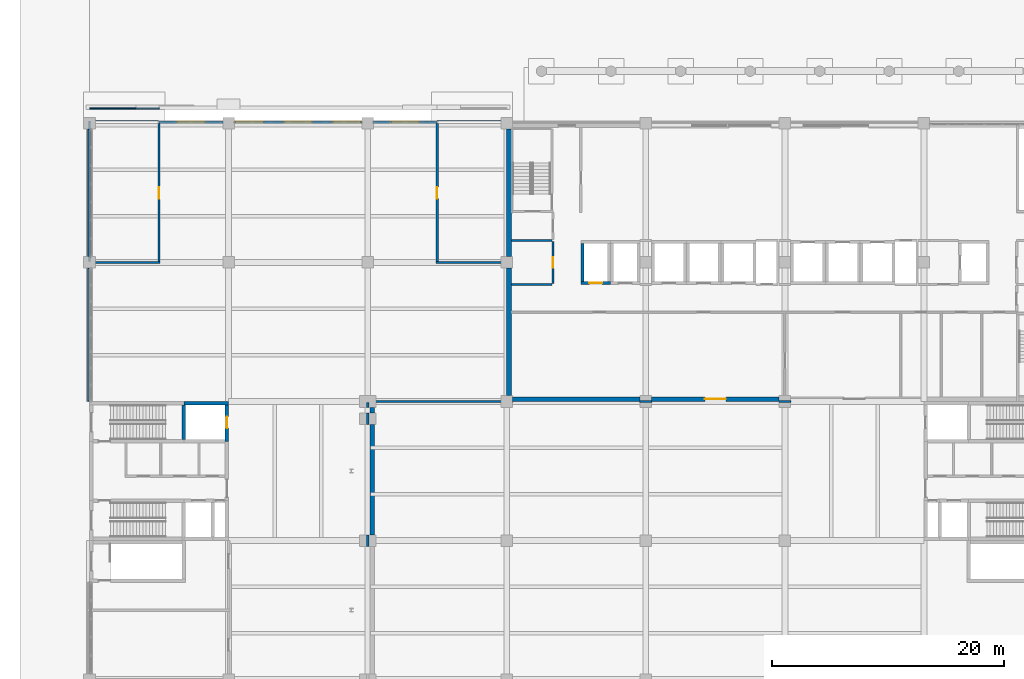
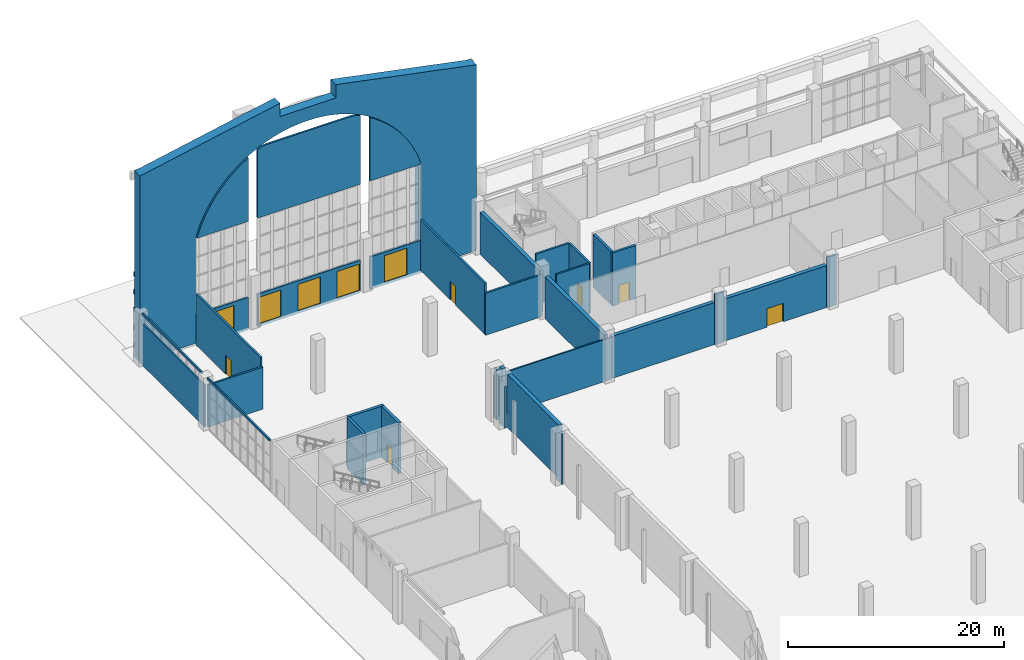
# One storey, part 45 of 59: 39 walls, 11 doors, 11 openings.
"""IFC4 building model written with IfcOpenShell, lengths in metres."""

from ifc_helpers import new_model, si_unit, direction, frame, frame_2d, origin, place, context, subcontext, project, spatial, polyline, rectangle, outline, extrude, material, layer, layer_set, type_object, element, fill, save


model = new_model("IFC4")

# Units and contexts
model_context = context("Model", 3, precision=1e-05, world=origin(), true_north=direction((0.0, 1.0)))
body_context = subcontext(model_context, "Body", "Model", "MODEL_VIEW")
ifc_project = project(units=[si_unit("LENGTHUNIT", "METRE"), si_unit("AREAUNIT", "SQUARE_METRE"), si_unit("VOLUMEUNIT", "CUBIC_METRE"), si_unit("PLANEANGLEUNIT", "RADIAN"), si_unit("MASSUNIT", "GRAM", prefix="KILO")], contexts=[model_context])

# Site, building, storey
site_placement = place(None, origin())
site = spatial("IfcSite", under=ifc_project, at=site_placement, CompositionType="ELEMENT")
building_placement = place(site_placement, origin())
building = spatial("IfcBuilding", under=site, at=building_placement, Name="Lilac Gate Convention Centre", CompositionType="ELEMENT")
storey_placement = place(building_placement, origin())
storey = spatial("IfcBuildingStorey", under=building, at=storey_placement, Name="L00", CompositionType="ELEMENT", Elevation=0.0)

# Wall, opening, door
ifc_material_1 = material(Name="Concrete C60", Category="concrete")
ifc_layer_1 = layer(ifc_material_1, 0.25)
ifc_layer_set_1 = layer_set([ifc_layer_1], Name="Concrete C60")
wall_type_1 = type_object("IfcWallType", Name="Core wall 250 C60", PredefinedType="SHEAR", material=ifc_layer_set_1)
wall_1_placement = place(storey_placement, frame((48.39990234375, 232.22509765625, 0.0), z_axis=(0.0, 0.0, 1.0), x_axis=(1.0, 0.0, 0.0)))
wall_1 = element("IfcWall", 1, at=wall_1_placement, inside=storey, type_object=wall_type_1, Name="CRW3 core wall TC L00 25", PredefinedType="SHEAR", context=body_context, shape_type="SweptSolid", body=[
    extrude(rectangle(XDim=2.550048828125, YDim=0.25, at=frame_2d((1.27490234375, 0.0))), origin(), (0.0, 0.0, 1.0), 6.0),
])
opening_1_placement = place(wall_1_placement, frame((0.72509765625, 0.0, 0.0)))
opening_1 = element("IfcOpeningElement", 2, at=opening_1_placement, cuts=wall_1, Name="Opening T00-022", PredefinedType="OPENING", context=body_context, shape_type="SweptSolid", body=[
    extrude(rectangle(XDim=1.10009765625, YDim=2.10009765625, at=frame_2d((0.550048828125, 1.050048828125))), frame((0.0, 0.135009765625, 0.0), z_axis=(0.0, -1.0, 0.0), x_axis=(1.0, 0.0, 0.0)), (0.0, 0.0, 1.0), 0.27001953125),
])
ifc_material_2 = material(Name="Stainless steel 304", Category="steel")
door_type_1 = type_object("IfcDoorType", Name="Lift landing door 1100", OperationType="SLIDING_TO_LEFT", PredefinedType="DOOR", material=ifc_material_2)
door_1_placement = place(opening_1_placement, origin())
door_1 = element("IfcDoor", 3, at=door_1_placement, inside=storey, type_object=door_type_1, Name="Lift landing door TS1 L00", OperationType="SLIDING_TO_LEFT", OverallHeight=2.10009765625, OverallWidth=1.10009765625, PredefinedType="DOOR", context=body_context, shape_type="SweptSolid", body=[
    extrude(rectangle(XDim=1.10009765625, YDim=2.10009765625, at=frame_2d((0.550048828125, 1.050048828125))), frame((0.0, 0.02490234375, 0.0), z_axis=(0.0, -1.0, 0.0), x_axis=(1.0, 0.0, 0.0)), (0.0, 0.0, 1.0), 0.050048828125),
])
fill(opening_1, door_1)

# Wall
wall_2_placement = place(storey_placement, frame((48.52490234375, 232.35009765625, 0.0), z_axis=(0.0, 0.0, 1.0), x_axis=(0.0, 1.0, 0.0)))
element("IfcWall", 4, at=wall_2_placement, inside=storey, type_object=wall_type_1, Name="CRW3 core wall TC L00 27", PredefinedType="SHEAR", context=body_context, shape_type="SweptSolid", body=[
    extrude(rectangle(XDim=3.2998046875, YDim=0.25, at=frame_2d((1.64990234375, 0.0))), origin(), (0.0, 0.0, 1.0), 6.0),
])

# Wall, opening, door
ifc_material_3 = material(Name="Aluminium framed glazing", Category="aluminium")
ifc_layer_2 = layer(ifc_material_3, 0.199951171875)
ifc_layer_set_2 = layer_set([ifc_layer_2], Name="Aluminium framed glazing")
wall_type_2 = type_object("IfcWallType", Name="Entrance screen frame 200", PredefinedType="STANDARD", material=ifc_layer_set_2)
wall_3_placement = place(storey_placement, frame((12.0, 246.10009765625, -0.300048828125), z_axis=(0.0, 0.0, 1.0), x_axis=(1.0, 0.0, 0.0)))
wall_3 = element("IfcWall", 5, at=wall_3_placement, inside=storey, type_object=wall_type_2, Name="Entrance screen door wall 1", PredefinedType="STANDARD", context=body_context, shape_type="SweptSolid", body=[
    extrude(rectangle(XDim=5.5, YDim=0.199951171875, at=frame_2d((2.75, 0.0))), origin(), (0.0, 0.0, 1.0), 3.699951171875),
])
opening_2_placement = place(wall_3_placement, frame((1.550048828125, 0.0, 0.300048828125)))
opening_2 = element("IfcOpeningElement", 6, at=opening_2_placement, cuts=wall_3, Name="Opening ED-032", PredefinedType="OPENING", context=body_context, shape_type="SweptSolid", body=[
    extrude(rectangle(XDim=2.39990234375, YDim=3.0, at=frame_2d((1.199951171875, 1.5))), frame((0.0, 0.10986328125, 0.0), z_axis=(0.0, -1.0, 0.0), x_axis=(1.0, 0.0, 0.0)), (0.0, 0.0, 1.0), 0.219970703125),
])
ifc_material_4 = material(Name="Aluminium framed glazed door", Category="aluminium")
door_type_2 = type_object("IfcDoorType", Name="Main entrance double door 2400 x 3000", OperationType="DOUBLE_DOOR_SINGLE_SWING", PredefinedType="DOOR", material=ifc_material_4)
door_2_placement = place(opening_2_placement, origin())
door_2 = element("IfcDoor", 7, at=door_2_placement, inside=storey, type_object=door_type_2, Name="Main entrance E2", OperationType="DOUBLE_DOOR_SINGLE_SWING", OverallHeight=3.0, OverallWidth=2.39990234375, PredefinedType="DOOR", context=body_context, shape_type="SweptSolid", body=[
    extrude(rectangle(XDim=2.39990234375, YDim=3.0, at=frame_2d((1.199951171875, 1.5))), frame((0.0, 0.02490234375, 0.0), z_axis=(0.0, -1.0, 0.0), x_axis=(1.0, 0.0, 0.0)), (0.0, 0.0, 1.0), 0.050048828125),
])
fill(opening_2, door_2)

# Wall
wall_4_placement = place(storey_placement, frame((12.0, 246.10009765625, 12.0), z_axis=(0.0, 0.0, 1.0), x_axis=(1.0, 0.0, 0.0)))
element("IfcWall", 8, at=wall_4_placement, inside=storey, type_object=wall_type_2, Name="Entrance screen arched head 1", PredefinedType="STANDARD", context=body_context, shape_type="SweptSolid", body=[
    extrude(outline(polyline([(0.0, 0.0), (5.5, 0.0), (5.5, 7.177001953125), (5.0, 6.856201171875), (4.5, 6.5), (4.0, 6.104736328125), (3.5, 5.665283203125), (3.0, 5.1748046875), (2.5, 4.6240234375), (2.0, 4.0), (1.5, 3.2822265625), (1.0, 2.437255859375), (0.5, 1.39892578125), (0.0, 0.0), (0.0, 0.0)])), frame((0.0, 0.10009765625, 0.0), z_axis=(0.0, -1.0, 0.0), x_axis=(1.0, 0.0, 0.0)), (0.0, 0.0, 1.0), 0.199951171875),
])

# Wall, openings, doors
wall_5_placement = place(storey_placement, frame((18.5, 246.10009765625, -0.300048828125), z_axis=(0.0, 0.0, 1.0), x_axis=(1.0, 0.0, 0.0)))
wall_5 = element("IfcWall", 9, at=wall_5_placement, inside=storey, type_object=wall_type_2, Name="Entrance screen door wall 2", PredefinedType="STANDARD", context=body_context, shape_type="SweptSolid", body=[
    extrude(rectangle(XDim=11.0, YDim=0.199951171875, at=frame_2d((5.5, 0.0))), origin(), (0.0, 0.0, 1.0), 3.699951171875),
])
opening_3_placement = place(wall_5_placement, frame((0.10009765625, 0.0, 0.300048828125)))
opening_3 = element("IfcOpeningElement", 10, at=opening_3_placement, cuts=wall_5, Name="Opening ED-033", PredefinedType="OPENING", context=body_context, shape_type="SweptSolid", body=[
    extrude(rectangle(XDim=2.39990234375, YDim=3.0, at=frame_2d((1.199951171875, 1.5))), frame((0.0, 0.10986328125, 0.0), z_axis=(0.0, -1.0, 0.0), x_axis=(1.0, 0.0, 0.0)), (0.0, 0.0, 1.0), 0.219970703125),
])
opening_4_placement = place(wall_5_placement, frame((4.300048828125, 0.0, 0.300048828125)))
opening_4 = element("IfcOpeningElement", 11, at=opening_4_placement, cuts=wall_5, Name="Opening ED-034", PredefinedType="OPENING", context=body_context, shape_type="SweptSolid", body=[
    extrude(rectangle(XDim=2.39990234375, YDim=3.0, at=frame_2d((1.199951171875, 1.5))), frame((0.0, 0.10986328125, 0.0), z_axis=(0.0, -1.0, 0.0), x_axis=(1.0, 0.0, 0.0)), (0.0, 0.0, 1.0), 0.219970703125),
])
opening_5_placement = place(wall_5_placement, frame((8.5, 0.0, 0.300048828125)))
opening_5 = element("IfcOpeningElement", 12, at=opening_5_placement, cuts=wall_5, Name="Opening ED-035", PredefinedType="OPENING", context=body_context, shape_type="SweptSolid", body=[
    extrude(rectangle(XDim=2.39990234375, YDim=3.0, at=frame_2d((1.199951171875, 1.5))), frame((0.0, 0.10986328125, 0.0), z_axis=(0.0, -1.0, 0.0), x_axis=(1.0, 0.0, 0.0)), (0.0, 0.0, 1.0), 0.219970703125),
])
door_3_placement = place(opening_3_placement, origin())
door_3 = element("IfcDoor", 13, at=door_3_placement, inside=storey, type_object=door_type_2, Name="Main entrance E3", OperationType="DOUBLE_DOOR_SINGLE_SWING", OverallHeight=3.0, OverallWidth=2.39990234375, PredefinedType="DOOR", context=body_context, shape_type="SweptSolid", body=[
    extrude(rectangle(XDim=2.39990234375, YDim=3.0, at=frame_2d((1.199951171875, 1.5))), frame((0.0, 0.02490234375, 0.0), z_axis=(0.0, -1.0, 0.0), x_axis=(1.0, 0.0, 0.0)), (0.0, 0.0, 1.0), 0.050048828125),
])
fill(opening_3, door_3)
door_4_placement = place(opening_4_placement, origin())
door_4 = element("IfcDoor", 14, at=door_4_placement, inside=storey, type_object=door_type_2, Name="Main entrance E4", OperationType="DOUBLE_DOOR_SINGLE_SWING", OverallHeight=3.0, OverallWidth=2.39990234375, PredefinedType="DOOR", context=body_context, shape_type="SweptSolid", body=[
    extrude(rectangle(XDim=2.39990234375, YDim=3.0, at=frame_2d((1.199951171875, 1.5))), frame((0.0, 0.02490234375, 0.0), z_axis=(0.0, -1.0, 0.0), x_axis=(1.0, 0.0, 0.0)), (0.0, 0.0, 1.0), 0.050048828125),
])
fill(opening_4, door_4)
door_5_placement = place(opening_5_placement, origin())
door_5 = element("IfcDoor", 15, at=door_5_placement, inside=storey, type_object=door_type_2, Name="Main entrance E6", OperationType="DOUBLE_DOOR_SINGLE_SWING", OverallHeight=3.0, OverallWidth=2.39990234375, PredefinedType="DOOR", context=body_context, shape_type="SweptSolid", body=[
    extrude(rectangle(XDim=2.39990234375, YDim=3.0, at=frame_2d((1.199951171875, 1.5))), frame((0.0, 0.02490234375, 0.0), z_axis=(0.0, -1.0, 0.0), x_axis=(1.0, 0.0, 0.0)), (0.0, 0.0, 1.0), 0.050048828125),
])
fill(opening_5, door_5)

# Wall
wall_6_placement = place(storey_placement, frame((18.5, 246.10009765625, 12.0), z_axis=(0.0, 0.0, 1.0), x_axis=(1.0, 0.0, 0.0)))
element("IfcWall", 16, at=wall_6_placement, inside=storey, type_object=wall_type_2, Name="Entrance screen arched head 2", PredefinedType="STANDARD", context=body_context, shape_type="SweptSolid", body=[
    extrude(outline(polyline([(0.0, 0.0), (11.0, 0.0), (11.0, 7.72509765625), (10.5, 7.956298828125), (10.0, 8.0), (9.5, 8.0), (9.0, 8.0), (8.5, 8.0), (8.0, 8.0), (7.5, 8.0), (7.0, 8.0), (6.5, 8.0), (6.0, 8.0), (5.5, 8.0), (5.0, 8.0), (4.5, 8.0), (4.0, 8.0), (3.5, 8.0), (3.0, 8.0), (2.5, 8.0), (2.0, 8.0), (1.5, 8.0), (1.0, 8.0), (0.5, 7.956298828125), (0.0, 7.72509765625), (0.0, 0.0)])), frame((0.0, 0.10009765625, 0.0), z_axis=(0.0, -1.0, 0.0), x_axis=(1.0, 0.0, 0.0)), (0.0, 0.0, 1.0), 0.199951171875),
])

# Wall, opening, door
wall_7_placement = place(storey_placement, frame((30.5, 246.10009765625, -0.300048828125), z_axis=(0.0, 0.0, 1.0), x_axis=(1.0, 0.0, 0.0)))
wall_7 = element("IfcWall", 17, at=wall_7_placement, inside=storey, type_object=wall_type_2, Name="Entrance screen door wall 3", PredefinedType="STANDARD", context=body_context, shape_type="SweptSolid", body=[
    extrude(rectangle(XDim=5.5, YDim=0.199951171875, at=frame_2d((2.75, 0.0))), origin(), (0.0, 0.0, 1.0), 3.699951171875),
])
opening_6_placement = place(wall_7_placement, frame((1.550048828125, 0.0, 0.300048828125)))
opening_6 = element("IfcOpeningElement", 18, at=opening_6_placement, cuts=wall_7, Name="Opening ED-036", PredefinedType="OPENING", context=body_context, shape_type="SweptSolid", body=[
    extrude(rectangle(XDim=2.39990234375, YDim=3.0, at=frame_2d((1.199951171875, 1.5))), frame((0.0, 0.10986328125, 0.0), z_axis=(0.0, -1.0, 0.0), x_axis=(1.0, 0.0, 0.0)), (0.0, 0.0, 1.0), 0.219970703125),
])
door_6_placement = place(opening_6_placement, origin())
door_6 = element("IfcDoor", 19, at=door_6_placement, inside=storey, type_object=door_type_2, Name="Main entrance E7", OperationType="DOUBLE_DOOR_SINGLE_SWING", OverallHeight=3.0, OverallWidth=2.39990234375, PredefinedType="DOOR", context=body_context, shape_type="SweptSolid", body=[
    extrude(rectangle(XDim=2.39990234375, YDim=3.0, at=frame_2d((1.199951171875, 1.5))), frame((0.0, 0.02490234375, 0.0), z_axis=(0.0, -1.0, 0.0), x_axis=(1.0, 0.0, 0.0)), (0.0, 0.0, 1.0), 0.050048828125),
])
fill(opening_6, door_6)

# Walls
wall_8_placement = place(storey_placement, frame((30.5, 246.10009765625, 12.0), z_axis=(0.0, 0.0, 1.0), x_axis=(1.0, 0.0, 0.0)))
element("IfcWall", 20, at=wall_8_placement, inside=storey, type_object=wall_type_2, Name="Entrance screen arched head 3", PredefinedType="STANDARD", context=body_context, shape_type="SweptSolid", body=[
    extrude(outline(polyline([(0.0, 0.0), (5.5, 0.0), (5.5, 0.0), (5.0, 1.39892578125), (4.5, 2.437255859375), (4.0, 3.2822265625), (3.5, 4.0), (3.0, 4.6240234375), (2.5, 5.1748046875), (2.0, 5.665283203125), (1.5, 6.104736328125), (1.0, 6.5), (0.5, 6.856201171875), (0.0, 7.177001953125), (0.0, 0.0)])), frame((0.0, 0.10009765625, 0.0), z_axis=(0.0, -1.0, 0.0), x_axis=(1.0, 0.0, 0.0)), (0.0, 0.0, 1.0), 0.199951171875),
])
ifc_material_5 = material(Name="Concrete C30", Category="concrete")
ifc_layer_3 = layer(ifc_material_5, 0.39990234375)
ifc_layer_set_3 = layer_set([ifc_layer_3], Name="Concrete C30")
wall_type_3 = type_object("IfcWallType", Name="Hall fire wall 400", PredefinedType="SOLIDWALL", material=ifc_layer_set_3)
wall_9_placement = place(storey_placement, frame((42.5, 222.199951171875, 0.0), z_axis=(0.0, 0.0, 1.0), x_axis=(1.0, 0.0, 0.0)))
element("IfcWall", 21, at=wall_9_placement, inside=storey, type_object=wall_type_3, Name="Compartment wall S L00 1", PredefinedType="SOLIDWALL", context=body_context, shape_type="SweptSolid", body=[
    extrude(rectangle(XDim=11.0, YDim=0.39990234375, at=frame_2d((5.5, 0.0))), origin(), (0.0, 0.0, 1.0), 4.75),
])

# Wall, opening, door
wall_10_placement = place(storey_placement, frame((54.5, 222.199951171875, 0.0), z_axis=(0.0, 0.0, 1.0), x_axis=(1.0, 0.0, 0.0)))
wall_10 = element("IfcWall", 22, at=wall_10_placement, inside=storey, type_object=wall_type_3, Name="Compartment wall S L00 2", PredefinedType="SOLIDWALL", context=body_context, shape_type="SweptSolid", body=[
    extrude(rectangle(XDim=11.0, YDim=0.39990234375, at=frame_2d((5.5, 0.0))), origin(), (0.0, 0.0, 1.0), 4.75),
])
opening_7_placement = place(wall_10_placement, frame((4.60009765625, 0.0, 0.0)))
opening_7 = element("IfcOpeningElement", 23, at=opening_7_placement, cuts=wall_10, Name="Opening L00-148", PredefinedType="OPENING", context=body_context, shape_type="SweptSolid", body=[
    extrude(rectangle(XDim=1.800048828125, YDim=2.10009765625, at=frame_2d((0.89990234375, 1.050048828125))), frame((0.0, 0.2099609375, 0.0), z_axis=(0.0, -1.0, 0.0), x_axis=(1.0, 0.0, 0.0)), (0.0, 0.0, 1.0), 0.419921875),
])
ifc_material_6 = material(Name="Steel Q235B", Category="steel")
door_type_3 = type_object("IfcDoorType", Name="Door 1800 x 2100 double leaf FD90", OperationType="DOUBLE_DOOR_SINGLE_SWING", PredefinedType="DOOR", material=ifc_material_6)
door_7_placement = place(opening_7_placement, frame((1.800048828125, 0.0, 0.0), z_axis=(0.0, 0.0, 1.0), x_axis=(-1.0, 0.0, 0.0)))
door_7 = element("IfcDoor", 24, at=door_7_placement, inside=storey, type_object=door_type_3, Name="Fire door to hotel L00-148", OperationType="DOUBLE_DOOR_SINGLE_SWING", OverallHeight=2.10009765625, OverallWidth=1.800048828125, PredefinedType="DOOR", context=body_context, shape_type="SweptSolid", body=[
    extrude(rectangle(XDim=1.800048828125, YDim=2.10009765625, at=frame_2d((0.89990234375, 1.050048828125))), frame((0.0, 0.02490234375, 0.0), z_axis=(0.0, -1.0, 0.0), x_axis=(1.0, 0.0, 0.0)), (0.0, 0.0, 1.0), 0.050048828125),
])
fill(opening_7, door_7)

# Walls
for number, where, z_axis, x_axis, name in (
    (25, (42.199951171875, 245.5, 0.0), (0.0, 0.0, 1.0), (0.0, -1.0, 0.0), "Compartment wall W L00 1"),
    (26, (42.199951171875, 233.5, 0.0), (0.0, 0.0, 1.0), (0.0, -1.0, 0.0), "Compartment wall W L00 2"),
):
    element("IfcWall", number, at=place(storey_placement, frame(where, z_axis=z_axis, x_axis=x_axis)), inside=storey, type_object=wall_type_3, Name=name, PredefinedType="SOLIDWALL", context=body_context, shape_type="SweptSolid", body=[
        extrude(rectangle(XDim=11.0, YDim=0.39990234375, at=frame_2d((5.5, 0.0))), origin(), (0.0, 0.0, 1.0), 4.75),
    ])
wall_11_placement = place(storey_placement, frame((30.39990234375, 210.5, 0.0), z_axis=(0.0, 0.0, 1.0), x_axis=(0.0, 1.0, 0.0)))
element("IfcWall", 27, at=wall_11_placement, inside=storey, type_object=wall_type_3, Name="Fire wall galleria FW L00 16", PredefinedType="SOLIDWALL", context=body_context, shape_type="SweptSolid", body=[
    extrude(rectangle(XDim=9.5, YDim=0.39990234375, at=frame_2d((4.75, 0.0))), origin(), (0.0, 0.0, 1.0), 6.0),
])
wall_12_placement = place(storey_placement, frame((30.39990234375, 221.0, 0.0), z_axis=(0.0, 0.0, 1.0), x_axis=(0.0, 1.0, 0.0)))
element("IfcWall", 28, at=wall_12_placement, inside=storey, type_object=wall_type_3, Name="Fire wall galleria FW L00 17", PredefinedType="SOLIDWALL", context=body_context, shape_type="SweptSolid", body=[
    extrude(rectangle(XDim=0.5, YDim=0.39990234375, at=frame_2d((0.25, 0.0))), origin(), (0.0, 0.0, 1.0), 6.0),
])
ifc_material_7 = material(Name="Fire-rated gypsum board on steel stud", Category="steel")
ifc_layer_4 = layer(ifc_material_7, 0.14990234375)
ifc_layer_set_4 = layer_set([ifc_layer_4], Name="Fire-rated gypsum board on steel stud")
wall_type_4 = type_object("IfcWallType", Name="Partition 150 fire-rated gypsum board EI 60", PredefinedType="PARTITIONING", material=ifc_layer_set_4)
wall_13_placement = place(storey_placement, frame((29.89990234375, 222.0, 0.0), z_axis=(0.0, 0.0, 1.0), x_axis=(1.0, 0.0, 0.0)))
element("IfcWall", 29, at=wall_13_placement, inside=storey, type_object=wall_type_4, Name="Partition 150 fire-rated gypsum board EI 60", PredefinedType="PARTITIONING", context=body_context, shape_type="SweptSolid", body=[
    extrude(rectangle(XDim=12.60009765625, YDim=0.14990234375, at=frame_2d((6.300048828125, 0.0))), origin(), (0.0, 0.0, 1.0), 4.75),
])
for number, where, z_axis, x_axis, name in (
    (30, (53.5, 222.0, 0.0), (0.0, 0.0, 1.0), (1.0, 0.0, 0.0), "Partition 150 fire-rated gypsum board EI 60"),
    (31, (65.5, 222.0, 0.0), (0.0, 0.0, 1.0), (1.0, 0.0, 0.0), "Partition 150 fire-rated gypsum board EI 60"),
):
    element("IfcWall", number, at=place(storey_placement, frame(where, z_axis=z_axis, x_axis=x_axis)), inside=storey, type_object=wall_type_4, Name=name, PredefinedType="PARTITIONING", context=body_context, shape_type="SweptSolid", body=[
        extrude(rectangle(XDim=1.0, YDim=0.14990234375, at=frame_2d((0.5, 0.0))), origin(), (0.0, 0.0, 1.0), 5.75),
    ])
wall_14_placement = place(storey_placement, frame((6.0, 234.10009765625, 0.0), z_axis=(0.0, 0.0, 1.0), x_axis=(0.0, 1.0, 0.0)))
element("IfcWall", 32, at=wall_14_placement, inside=storey, type_object=wall_type_4, Name="Partition 150 fire-rated gypsum board EI 60", PredefinedType="PARTITIONING", context=body_context, shape_type="SweptSolid", body=[
    extrude(rectangle(XDim=12.099853515625, YDim=0.14990234375, at=frame_2d((6.0498046875, 0.0))), origin(), (0.0, 0.0, 1.0), 4.75),
])

# Wall, opening, door
ifc_material_8 = material(Name="Clay brick masonry", Category="masonry")
ifc_layer_5 = layer(ifc_material_8, 0.199951171875)
ifc_layer_set_5 = layer_set([ifc_layer_5], Name="Clay brick masonry")
wall_type_5 = type_object("IfcWallType", Name="Partition 200 brick EI 120", PredefinedType="PARTITIONING", material=ifc_layer_set_5)
wall_15_placement = place(storey_placement, frame((12.0, 234.10009765625, 0.0), z_axis=(0.0, 0.0, 1.0), x_axis=(0.0, 1.0, 0.0)))
wall_15 = element("IfcWall", 33, at=wall_15_placement, inside=storey, type_object=wall_type_5, Name="Partition 200 brick EI 120", PredefinedType="PARTITIONING", context=body_context, shape_type="SweptSolid", body=[
    extrude(rectangle(XDim=11.89990234375, YDim=0.199951171875, at=frame_2d((5.949951171875, 0.0))), origin(), (0.0, 0.0, 1.0), 5.75),
])
opening_8_placement = place(wall_15_placement, frame((5.39990234375, 0.0, 0.0)))
opening_8 = element("IfcOpeningElement", 34, at=opening_8_placement, cuts=wall_15, Name="Opening L00-150", PredefinedType="OPENING", context=body_context, shape_type="SweptSolid", body=[
    extrude(rectangle(XDim=1.0, YDim=2.10009765625, at=frame_2d((0.5, 1.050048828125))), frame((0.0, 0.10986328125, 0.0), z_axis=(0.0, -1.0, 0.0), x_axis=(1.0, 0.0, 0.0)), (0.0, 0.0, 1.0), 0.219970703125),
])
ifc_material_9 = material(Name="Timber fire door leaf", Category="wood")
door_type_4 = type_object("IfcDoorType", Name="Door 1000 x 2100 single leaf FD30", OperationType="SINGLE_SWING_LEFT", PredefinedType="DOOR", material=ifc_material_9)
door_8_placement = place(opening_8_placement, origin())
door_8 = element("IfcDoor", 35, at=door_8_placement, inside=storey, type_object=door_type_4, Name="Office door L00-150", OperationType="SINGLE_SWING_RIGHT", OverallHeight=2.10009765625, OverallWidth=1.0, PredefinedType="DOOR", context=body_context, shape_type="SweptSolid", body=[
    extrude(rectangle(XDim=1.0, YDim=2.10009765625, at=frame_2d((0.5, 1.050048828125))), frame((0.0, 0.02490234375, 0.0), z_axis=(0.0, -1.0, 0.0), x_axis=(1.0, 0.0, 0.0)), (0.0, 0.0, 1.0), 0.050048828125),
])
fill(opening_8, door_8)

wall_16_placement = place(storey_placement, frame((36.0, 234.10009765625, 0.0), z_axis=(0.0, 0.0, 1.0), x_axis=(0.0, 1.0, 0.0)))
wall_16 = element("IfcWall", 36, at=wall_16_placement, inside=storey, type_object=wall_type_5, Name="Partition 200 brick EI 120", PredefinedType="PARTITIONING", context=body_context, shape_type="SweptSolid", body=[
    extrude(rectangle(XDim=11.89990234375, YDim=0.199951171875, at=frame_2d((5.949951171875, 0.0))), origin(), (0.0, 0.0, 1.0), 5.75),
])
opening_9_placement = place(wall_16_placement, frame((5.39990234375, 0.0, 0.0)))
opening_9 = element("IfcOpeningElement", 37, at=opening_9_placement, cuts=wall_16, Name="Opening L00-151", PredefinedType="OPENING", context=body_context, shape_type="SweptSolid", body=[
    extrude(rectangle(XDim=1.0, YDim=2.10009765625, at=frame_2d((0.5, 1.050048828125))), frame((0.0, 0.10986328125, 0.0), z_axis=(0.0, -1.0, 0.0), x_axis=(1.0, 0.0, 0.0)), (0.0, 0.0, 1.0), 0.219970703125),
])
door_9_placement = place(opening_9_placement, frame((1.0, 0.0, 0.0), z_axis=(0.0, 0.0, 1.0), x_axis=(-1.0, 0.0, 0.0)))
door_9 = element("IfcDoor", 38, at=door_9_placement, inside=storey, type_object=door_type_4, Name="Office door L00-151", OperationType="SINGLE_SWING_LEFT", OverallHeight=2.10009765625, OverallWidth=1.0, PredefinedType="DOOR", context=body_context, shape_type="SweptSolid", body=[
    extrude(rectangle(XDim=1.0, YDim=2.10009765625, at=frame_2d((0.5, 1.050048828125))), frame((0.0, 0.02490234375, 0.0), z_axis=(0.0, -1.0, 0.0), x_axis=(1.0, 0.0, 0.0)), (0.0, 0.0, 1.0), 0.050048828125),
])
fill(opening_9, door_9)

# Walls
ifc_layer_6 = layer(ifc_material_8, 0.199951171875)
ifc_layer_set_6 = layer_set([ifc_layer_6], Name="Clay brick masonry")
wall_type_6 = type_object("IfcWallType", Name="Partition 200 brick EI 60", PredefinedType="PARTITIONING", material=ifc_layer_set_6)
wall_17_placement = place(storey_placement, frame((6.199951171875, 234.0, 0.0), z_axis=(0.0, 0.0, 1.0), x_axis=(1.0, 0.0, 0.0)))
element("IfcWall", 39, at=wall_17_placement, inside=storey, type_object=wall_type_6, Name="Partition 200 brick EI 60", PredefinedType="PARTITIONING", context=body_context, shape_type="SweptSolid", body=[
    extrude(rectangle(XDim=5.900146484375, YDim=0.199951171875, at=frame_2d((2.9501953125, 0.0))), origin(), (0.0, 0.0, 1.0), 4.75),
])
wall_18_placement = place(storey_placement, frame((35.89990234375, 234.0, 0.0), z_axis=(0.0, 0.0, 1.0), x_axis=(1.0, 0.0, 0.0)))
element("IfcWall", 40, at=wall_18_placement, inside=storey, type_object=wall_type_6, Name="Partition 200 brick EI 60", PredefinedType="PARTITIONING", context=body_context, shape_type="SweptSolid", body=[
    extrude(rectangle(XDim=6.10009765625, YDim=0.199951171875, at=frame_2d((3.050048828125, 0.0))), origin(), (0.0, 0.0, 1.0), 4.75),
])
wall_19_placement = place(storey_placement, frame((30.0, 209.5, 0.0), z_axis=(0.0, 0.0, 1.0), x_axis=(0.0, 1.0, 0.0)))
element("IfcWall", 41, at=wall_19_placement, inside=storey, type_object=wall_type_6, Name="Partition 200 brick EI 60", PredefinedType="PARTITIONING", context=body_context, shape_type="SweptSolid", body=[
    extrude(rectangle(XDim=1.0, YDim=0.199951171875, at=frame_2d((0.5, 0.0))), origin(), (0.0, 0.0, 1.0), 5.75),
])
wall_20_placement = place(storey_placement, frame((30.0, 220.0, 0.0), z_axis=(0.0, 0.0, 1.0), x_axis=(0.0, 1.0, 0.0)))
element("IfcWall", 42, at=wall_20_placement, inside=storey, type_object=wall_type_6, Name="Partition 200 brick EI 60", PredefinedType="PARTITIONING", context=body_context, shape_type="SweptSolid", body=[
    extrude(rectangle(XDim=1.0, YDim=0.199951171875, at=frame_2d((0.5, 0.0))), origin(), (0.0, 0.0, 1.0), 4.75),
])
wall_21_placement = place(storey_placement, frame((30.0, 221.5, 0.0), z_axis=(0.0, 0.0, 1.0), x_axis=(0.0, 1.0, 0.0)))
element("IfcWall", 43, at=wall_21_placement, inside=storey, type_object=wall_type_6, Name="Partition 200 brick EI 60", PredefinedType="PARTITIONING", context=body_context, shape_type="SweptSolid", body=[
    extrude(rectangle(XDim=0.425048828125, YDim=0.199951171875, at=frame_2d((0.21240234375, 0.0))), origin(), (0.0, 0.0, 1.0), 5.75),
])
ifc_material_10 = material(Name="Concrete C40 precast", Category="concrete")
ifc_layer_7 = layer(ifc_material_10, 0.1298828125)
ifc_material_11 = material(Name="Ochre mineral render")
ifc_layer_8 = layer(ifc_material_11, 0.02001953125)
ifc_layer_set_7 = layer_set([ifc_layer_7, ifc_layer_8], Name="Concrete C40 precast, Ochre mineral render")
wall_type_7 = type_object("IfcWallType", Name="Portal course 150", PredefinedType="STANDARD", material=ifc_layer_set_7)
for number, where, z_axis, x_axis, name in (
    (44, (6.0, 247.27490234375, 1.0), (0.0, 0.0, 1.0), (1.0, 0.0, 0.0), "Portal course L1"),
    (45, (6.0, 247.27490234375, 3.0), (0.0, 0.0, 1.0), (1.0, 0.0, 0.0), "Portal course L2"),
    (46, (6.0, 247.27490234375, 5.0), (0.0, 0.0, 1.0), (1.0, 0.0, 0.0), "Portal course L3"),
    (47, (6.0, 247.27490234375, 7.0), (0.0, 0.0, 1.0), (1.0, 0.0, 0.0), "Portal course L4"),
    (48, (6.0, 247.27490234375, 9.0), (0.0, 0.0, 1.0), (1.0, 0.0, 0.0), "Portal course L5"),
):
    element("IfcWall", number, at=place(storey_placement, frame(where, z_axis=z_axis, x_axis=x_axis)), inside=storey, type_object=wall_type_7, Name=name, PredefinedType="STANDARD", context=body_context, shape_type="SweptSolid", body=[
        extrude(rectangle(XDim=6.0, YDim=0.14990234375, at=frame_2d((3.0, 0.0))), origin(), (0.0, 0.0, 1.0), 0.5),
    ])
ifc_material_12 = material(Name="Concrete C40", Category="concrete")
ifc_layer_9 = layer(ifc_material_12, 1.0)
ifc_layer_set_8 = layer_set([ifc_layer_9], Name="Concrete C40")
wall_type_8 = type_object("IfcWallType", Name="Portal wall 1000", PredefinedType="SHEAR", material=ifc_layer_set_8)
wall_22_placement = place(storey_placement, frame((6.0, 246.699951171875, 0.0), z_axis=(0.0, 0.0, 1.0), x_axis=(1.0, 0.0, 0.0)))
element("IfcWall", 49, at=wall_22_placement, inside=storey, type_object=wall_type_8, Name="Portal wall", PredefinedType="SHEAR", context=body_context, shape_type="SweptSolid", body=[
    extrude(outline(polyline([(0.0, 0.0), (6.0, 0.0), (6.0, 12.0), (6.5, 13.39892578125), (7.0, 14.437255859375), (7.5, 15.2822265625), (8.0, 16.0), (8.5, 16.6240234375), (9.0, 17.1748046875), (9.5, 17.665283203125), (10.0, 18.104736328125), (10.5, 18.5), (11.0, 18.856201171875), (11.5, 19.177001953125), (12.0, 19.4658203125), (12.5, 19.72509765625), (13.0, 19.956298828125), (13.5, 20.161865234375), (14.0, 20.3427734375), (14.5, 20.5), (15.0, 20.634765625), (15.5, 20.747314453125), (16.0, 20.839111328125), (16.5, 20.90966796875), (17.0, 20.9599609375), (17.5, 20.989990234375), (18.0, 21.0), (18.5, 20.989990234375), (19.0, 20.9599609375), (19.5, 20.90966796875), (20.0, 20.839111328125), (20.5, 20.747314453125), (21.0, 20.634765625), (21.5, 20.5), (22.0, 20.3427734375), (22.5, 20.161865234375), (23.0, 19.956298828125), (23.5, 19.72509765625), (24.0, 19.4658203125), (24.5, 19.177001953125), (25.0, 18.856201171875), (25.5, 18.5), (26.0, 18.104736328125), (26.5, 17.665283203125), (27.0, 17.1748046875), (27.5, 16.6240234375), (28.0, 16.0), (28.5, 15.2822265625), (29.0, 14.437255859375), (29.5, 13.39892578125), (30.0, 12.0), (30.0, 0.0), (36.0, 0.0), (36.0, 21.0), (21.0, 24.0), (21.0, 22.5), (15.0, 22.5), (15.0, 24.0), (0.0, 21.0), (0.0, 0.0)])), frame((0.0, 0.5, 0.0), z_axis=(0.0, -1.0, 0.0), x_axis=(1.0, 0.0, 0.0)), (0.0, 0.0, 1.0), 1.0),
])
ifc_layer_10 = layer(ifc_material_10, 0.1298828125)
ifc_material_13 = material(Name="Teal glazed cladding")
ifc_layer_11 = layer(ifc_material_13, 0.02001953125)
ifc_layer_set_9 = layer_set([ifc_layer_10, ifc_layer_11], Name="Concrete C40 precast, Teal glazed cladding")
wall_type_9 = type_object("IfcWallType", Name="Precast band teal 150", PredefinedType="STANDARD", material=ifc_layer_set_9)
wall_23_placement = place(storey_placement, frame((5.925048828125, 245.5, 5.75), z_axis=(0.0, 0.0, 1.0), x_axis=(0.0, -1.0, 0.0)))
element("IfcWall", 50, at=wall_23_placement, inside=storey, type_object=wall_type_9, Name="Precast band GW L00 1", PredefinedType="STANDARD", context=body_context, shape_type="SweptSolid", body=[
    extrude(rectangle(XDim=11.0, YDim=0.14990234375, at=frame_2d((5.5, 0.0))), origin(), (0.0, 0.0, 1.0), 0.25),
])
wall_24_placement = place(storey_placement, frame((5.925048828125, 233.5, 5.75), z_axis=(0.0, 0.0, 1.0), x_axis=(0.0, -1.0, 0.0)))
element("IfcWall", 51, at=wall_24_placement, inside=storey, type_object=wall_type_9, Name="Precast band GW L00 2", PredefinedType="STANDARD", context=body_context, shape_type="SweptSolid", body=[
    extrude(rectangle(XDim=11.5, YDim=0.14990234375, at=frame_2d((5.75, 0.0))), origin(), (0.0, 0.0, 1.0), 0.25),
])
ifc_material_14 = material(Name="Gypsum board on steel stud", Category="steel")
ifc_layer_12 = layer(ifc_material_14, 0.199951171875)
ifc_layer_set_10 = layer_set([ifc_layer_12], Name="Gypsum board on steel stud")
wall_type_10 = type_object("IfcWallType", Name="Riser and store wall 200", PredefinedType="PARTITIONING", material=ifc_layer_set_10)
for number, where, z_axis, x_axis, name in (
    (52, (42.39990234375, 232.10009765625, 0.0), (0.0, 0.0, 1.0), (1.0, 0.0, 0.0), "Riser and store wall 200 HKW-S"),
    (53, (42.39990234375, 235.89990234375, 0.0), (0.0, 0.0, 1.0), (1.0, 0.0, 0.0), "Riser and store wall 200 HKW-N"),
):
    element("IfcWall", number, at=place(storey_placement, frame(where, z_axis=z_axis, x_axis=x_axis)), inside=storey, type_object=wall_type_10, Name=name, PredefinedType="PARTITIONING", context=body_context, shape_type="SweptSolid", body=[
        extrude(rectangle(XDim=3.5, YDim=0.199951171875, at=frame_2d((1.75, 0.0))), origin(), (0.0, 0.0, 1.0), 5.75),
    ])

# Wall, opening, door
wall_25_placement = place(storey_placement, frame((46.0, 232.199951171875, 0.0), z_axis=(0.0, 0.0, 1.0), x_axis=(0.0, 1.0, 0.0)))
wall_25 = element("IfcWall", 54, at=wall_25_placement, inside=storey, type_object=wall_type_10, Name="Riser and store wall 200 HKW-E", PredefinedType="PARTITIONING", context=body_context, shape_type="SweptSolid", body=[
    extrude(rectangle(XDim=3.60009765625, YDim=0.199951171875, at=frame_2d((1.800048828125, 0.0))), origin(), (0.0, 0.0, 1.0), 5.75),
])
opening_10_placement = place(wall_25_placement, frame((1.35009765625, 0.0, 0.0)))
opening_10 = element("IfcOpeningElement", 55, at=opening_10_placement, cuts=wall_25, Name="Opening T00-001", PredefinedType="OPENING", context=body_context, shape_type="SweptSolid", body=[
    extrude(rectangle(XDim=0.89990234375, YDim=2.10009765625, at=frame_2d((0.449951171875, 1.050048828125))), frame((0.0, 0.10986328125, 0.0), z_axis=(0.0, -1.0, 0.0), x_axis=(1.0, 0.0, 0.0)), (0.0, 0.0, 1.0), 0.219970703125),
])
door_type_5 = type_object("IfcDoorType", Name="Riser and store door 900", OperationType="SINGLE_SWING_LEFT", PredefinedType="DOOR", material=ifc_material_6)
door_10_placement = place(opening_10_placement, origin())
door_10 = element("IfcDoor", 56, at=door_10_placement, inside=storey, type_object=door_type_5, Name="Housekeeping door", OperationType="SINGLE_SWING_LEFT", OverallHeight=2.10009765625, OverallWidth=0.89990234375, PredefinedType="DOOR", context=body_context, shape_type="SweptSolid", body=[
    extrude(rectangle(XDim=0.89990234375, YDim=2.10009765625, at=frame_2d((0.449951171875, 1.050048828125))), frame((0.0, 0.02490234375, 0.0), z_axis=(0.0, -1.0, 0.0), x_axis=(1.0, 0.0, 0.0)), (0.0, 0.0, 1.0), 0.050048828125),
])
fill(opening_10, door_10)

# Wall
ifc_layer_13 = layer(ifc_material_12, 0.300048828125)
ifc_layer_set_11 = layer_set([ifc_layer_13], Name="Concrete C40")
wall_type_11 = type_object("IfcWallType", Name="Shear wall 300 C40", PredefinedType="SHEAR", material=ifc_layer_set_11)
wall_26_placement = place(storey_placement, frame((14.14990234375, 221.85009765625, 0.0), z_axis=(0.0, 0.0, 1.0), x_axis=(1.0, 0.0, 0.0)))
element("IfcWall", 57, at=wall_26_placement, inside=storey, type_object=wall_type_11, Name="SW1 shear wall W4 L00 5", PredefinedType="SHEAR", context=body_context, shape_type="SweptSolid", body=[
    extrude(rectangle(XDim=3.85009765625, YDim=0.300048828125, at=frame_2d((1.925048828125, 0.0))), origin(), (0.0, 0.0, 1.0), 5.75),
])

# Wall, opening, door
wall_27_placement = place(storey_placement, frame((17.85009765625, 218.550048828125, 0.0), z_axis=(0.0, 0.0, 1.0), x_axis=(0.0, 1.0, 0.0)))
wall_27 = element("IfcWall", 58, at=wall_27_placement, inside=storey, type_object=wall_type_11, Name="SW1 shear wall W4 L00 16", PredefinedType="SHEAR", context=body_context, shape_type="SweptSolid", body=[
    extrude(rectangle(XDim=3.14990234375, YDim=0.300048828125, at=frame_2d((1.574951171875, 0.0))), origin(), (0.0, 0.0, 1.0), 5.75),
])
opening_11_placement = place(wall_27_placement, frame((1.14990234375, 0.0, 0.0)))
opening_11 = element("IfcOpeningElement", 59, at=opening_11_placement, cuts=wall_27, Name="Opening L00-145", PredefinedType="OPENING", context=body_context, shape_type="SweptSolid", body=[
    extrude(rectangle(XDim=1.0, YDim=2.10009765625, at=frame_2d((0.5, 1.050048828125))), frame((0.0, 0.159912109375, 0.0), z_axis=(0.0, -1.0, 0.0), x_axis=(1.0, 0.0, 0.0)), (0.0, 0.0, 1.0), 0.320068359375),
])
door_11_placement = place(opening_11_placement, origin())
door_11 = element("IfcDoor", 60, at=door_11_placement, inside=storey, type_object=door_type_4, Name="Riser access door L00-145", OperationType="SINGLE_SWING_RIGHT", OverallHeight=2.10009765625, OverallWidth=1.0, PredefinedType="DOOR", context=body_context, shape_type="SweptSolid", body=[
    extrude(rectangle(XDim=1.0, YDim=2.10009765625, at=frame_2d((0.5, 1.050048828125))), frame((0.0, 0.02490234375, 0.0), z_axis=(0.0, -1.0, 0.0), x_axis=(1.0, 0.0, 0.0)), (0.0, 0.0, 1.0), 0.050048828125),
])
fill(opening_11, door_11)

# Wall
wall_28_placement = place(storey_placement, frame((14.14990234375, 218.699951171875, 0.0), z_axis=(0.0, 0.0, 1.0), x_axis=(0.0, 1.0, 0.0)))
element("IfcWall", 61, at=wall_28_placement, inside=storey, type_object=wall_type_11, Name="SW1 shear wall W4 L00 18", PredefinedType="SHEAR", context=body_context, shape_type="SweptSolid", body=[
    extrude(rectangle(XDim=3.0, YDim=0.300048828125, at=frame_2d((1.5, 0.0))), origin(), (0.0, 0.0, 1.0), 5.75),
])

save(model, "model.ifc")
